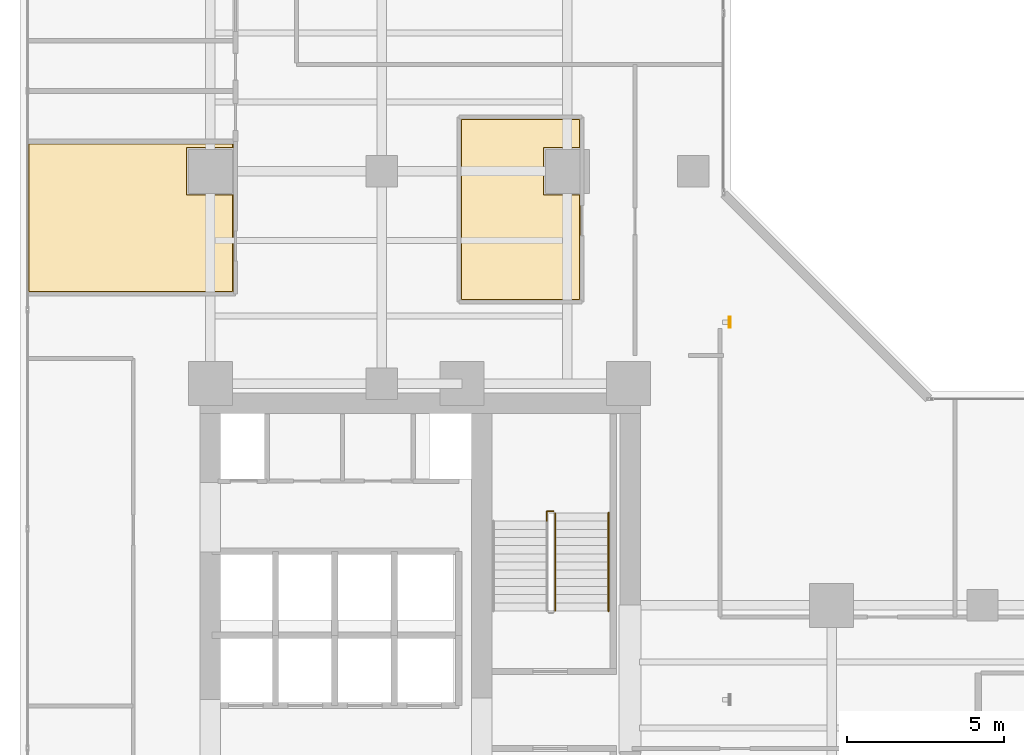
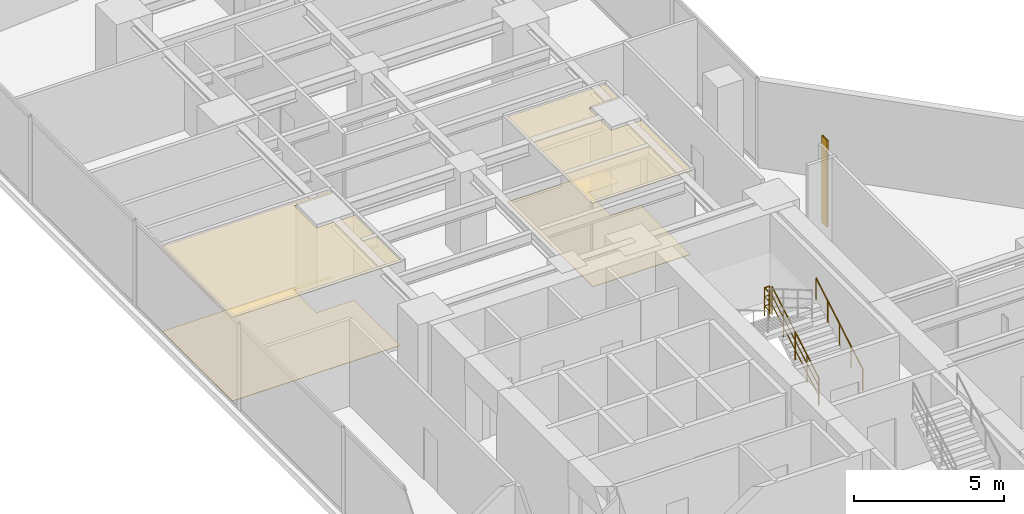
# One storey, part 26 of 28: 4 coverings, 3 railings, 1 shading device.
"""IFC4 building model written with IfcOpenShell, lengths in metres."""

from ifc_helpers import new_model, si_unit, direction, frame, origin, origin_2d, place, context, subcontext, project, spatial, polyline, hollow_rectangle, circle, outline, extrude, material, layer, layer_set, material_profile, profile_set, type_object, element, save


model = new_model("IFC4")

# Units and contexts
model_context = context("Model", 3, precision=1e-05, world=origin(), true_north=direction((0.0, 1.0)))
body_context = subcontext(model_context, "Body", "Model", "MODEL_VIEW")
ifc_project = project(units=[si_unit("LENGTHUNIT", "METRE"), si_unit("AREAUNIT", "SQUARE_METRE"), si_unit("VOLUMEUNIT", "CUBIC_METRE"), si_unit("PLANEANGLEUNIT", "RADIAN"), si_unit("MASSUNIT", "GRAM", prefix="KILO")], contexts=[model_context])

# Site, building, storey
site_placement = place(None, origin())
site = spatial("IfcSite", under=ifc_project, at=site_placement, CompositionType="ELEMENT")
building_placement = place(site_placement, origin())
building = spatial("IfcBuilding", under=site, at=building_placement, Name="Kolvaren Waterfront Exchange", CompositionType="ELEMENT")
storey_placement = place(building_placement, frame((0.0, 0.0, 133.5)))
storey = spatial("IfcBuildingStorey", under=building, at=storey_placement, Name="L34", CompositionType="ELEMENT", Elevation=133.5)

# Coverings
ifc_material_1 = material(Name="Mineral fibre acoustic ceiling tile")
ifc_layer_1 = layer(ifc_material_1, 0.02490234375, Name="Mineral fibre acoustic ceiling tile")
ifc_layer_set_1 = layer_set([ifc_layer_1], Name="Mineral fibre acoustic ceiling tile")
covering_type_1 = type_object("IfcCoveringType", Name="ARC-CEIL-ACOUSTIC-25", PredefinedType="CEILING", material=ifc_layer_set_1)
covering_1_placement = place(storey_placement, frame((0.0, 0.0, 3.425048828125)))
element("IfcCovering", 1, at=covering_1_placement, inside=storey, type_object=covering_type_1, Name="L34 acoustic suspended ceiling 1", PredefinedType="CEILING", context=body_context, shape_type="SweptSolid", body=[
    extrude(outline(polyline([(19.22509765625, 30.4599609375), (18.06005859375, 30.4599609375), (18.06005859375, 31.93994140625), (19.22509765625, 31.93994140625), (19.22509765625, 32.875), (15.39501953125, 32.875), (15.39501953125, 27.094970703125), (19.22509765625, 27.094970703125), (19.22509765625, 30.4599609375)])), origin(), (0.0, 0.0, 1.0), 0.02490234375),
])
covering_2_placement = place(storey_placement, frame((0.0, 0.0, 3.425048828125)))
element("IfcCovering", 2, at=covering_2_placement, inside=storey, type_object=covering_type_1, Name="L34 acoustic suspended ceiling 2", PredefinedType="CEILING", context=body_context, shape_type="SweptSolid", body=[
    extrude(outline(polyline([(8.18505859375, 30.4599609375), (6.7099609375, 30.4599609375), (6.7099609375, 31.93994140625), (8.18505859375, 31.93994140625), (8.18505859375, 32.10498046875), (1.64501953125, 32.10498046875), (1.64501953125, 27.344970703125), (8.18505859375, 27.344970703125), (8.18505859375, 30.4599609375)])), origin(), (0.0, 0.0, 1.0), 0.02490234375),
])

# Shading device
ifc_material_2 = material(Name="Anodised bronze aluminium 6063-T6", Category="aluminium")
ifc_material_profile = material_profile(ifc_material_2, hollow_rectangle(XDim=0.06005859375, YDim=0.35009765625, WallThickness=0.0048828125, at=origin_2d()), Name="BRZ-FIN-350x60x5")
ifc_profile_set = profile_set([ifc_material_profile], Name="Anodised bronze aluminium 6063-T6")
shading_device_type = type_object("IfcShadingDeviceType", Name="ARC-FIN-350", PredefinedType="USERDEFINED", material=ifc_profile_set)
shading_device_placement = place(storey_placement, frame((23.9599609375, 26.39990234375, 0.0), z_axis=(0.0, 0.0, 1.0), x_axis=(1.0, 0.0, 0.0)))
element("IfcShadingDevice", 3, at=shading_device_placement, inside=storey, type_object=shading_device_type, Name="L34 anodised bronze solar shading fin FIN-L34-E2", ObjectType="SOLAR FIN", PredefinedType="USERDEFINED", context=body_context, shape_type="SweptSolid", body=[
    extrude(hollow_rectangle(XDim=0.06005859375, YDim=0.35009765625, WallThickness=0.0048828125, at=origin_2d()), origin(), (0.0, 0.0, 1.0), 3.5400390625),
])

# Coverings
ifc_material_3 = material(Name="Slip-resistant porcelain tile")
ifc_layer_2 = layer(ifc_material_3, 0.014892578125, Name="Slip-resistant porcelain tile")
ifc_layer_set_2 = layer_set([ifc_layer_2], Name="Slip-resistant porcelain tile")
covering_type_2 = type_object("IfcCoveringType", Name="ARC-FLR-PORC-15", PredefinedType="FLOORING", material=ifc_layer_set_2)
covering_3_placement = place(storey_placement, origin())
element("IfcCovering", 4, at=covering_3_placement, inside=storey, type_object=covering_type_2, Name="L34 floor finish 1", PredefinedType="FLOORING", context=body_context, shape_type="SweptSolid", body=[
    extrude(outline(polyline([(15.429931640625, 32.840087890625), (15.429931640625, 27.1298828125), (19.18994140625, 27.1298828125), (19.18994140625, 30.43994140625), (18.0400390625, 30.43994140625), (18.0400390625, 31.9599609375), (19.18994140625, 31.9599609375), (19.18994140625, 32.840087890625), (15.429931640625, 32.840087890625)])), origin(), (0.0, 0.0, 1.0), 0.014892578125),
])
covering_4_placement = place(storey_placement, origin())
element("IfcCovering", 5, at=covering_4_placement, inside=storey, type_object=covering_type_2, Name="L34 floor finish 2", PredefinedType="FLOORING", context=body_context, shape_type="SweptSolid", body=[
    extrude(outline(polyline([(1.679931640625, 32.070068359375), (1.679931640625, 27.3798828125), (8.14990234375, 27.3798828125), (8.14990234375, 30.43994140625), (6.68994140625, 30.43994140625), (6.68994140625, 31.9599609375), (8.14990234375, 31.9599609375), (8.14990234375, 32.070068359375), (1.679931640625, 32.070068359375)])), origin(), (0.0, 0.0, 1.0), 0.014892578125),
])

# Railings
ifc_material_4 = material(Name="Stainless steel 316", Category="steel")
railing_type_1 = type_object("IfcRailingType", Name="ARC-GUARD-STAIR", PredefinedType="GUARDRAIL", material=ifc_material_4)
railing_1_placement = place(storey_placement, frame((18.409912109375, 17.219970703125, 0.152099609375)))
element("IfcRailing", 6, at=railing_1_placement, inside=storey, type_object=railing_type_1, Name="L34 ST2 stair guard 1", PredefinedType="GUARDRAIL", context=body_context, shape_type="SweptSolid", body=[
    extrude(circle(Radius=0.02392578125, at=origin_2d()), frame((0.0, 0.0, 1.1259765625), z_axis=(0.0, 0.86330811405, 0.504677223793), x_axis=(-1.0, 0.0, 0.0)), (0.0, 0.0, 1.0), 3.6142578125),
    extrude(circle(Radius=0.01611328125, at=origin_2d()), frame((0.0, 0.0, 0.390869140625), z_axis=(0.0, 0.86330811405, 0.504677223793), x_axis=(-1.0, 0.0, 0.0)), (0.0, 0.0, 1.0), 3.6142578125),
    extrude(circle(Radius=0.01611328125, at=origin_2d()), frame((0.0, 0.0, 0.7705078125), z_axis=(0.0, 0.86330811405, 0.504677223793), x_axis=(-1.0, 0.0, 0.0)), (0.0, 0.0, 1.0), 3.6142578125),
    extrude(circle(Radius=0.02099609375, at=origin_2d()), origin(), (0.0, 0.0, 1.0), 1.101806640625),
    extrude(circle(Radius=0.02099609375, at=origin_2d()), frame((0.0, 0.780029296875, 0.4560546875)), (0.0, 0.0, 1.0), 1.101806640625),
    extrude(circle(Radius=0.02099609375, at=origin_2d()), frame((0.0, 1.56005859375, 0.912109375)), (0.0, 0.0, 1.0), 1.101806640625),
    extrude(circle(Radius=0.02099609375, at=origin_2d()), frame((0.0, 2.340087890625, 1.367919921875)), (0.0, 0.0, 1.0), 1.101806640625),
    extrude(circle(Radius=0.02099609375, at=origin_2d()), frame((0.0, 3.1201171875, 1.823974609375)), (0.0, 0.0, 1.0), 1.101806640625),
])
railing_2_placement = place(storey_placement, frame((18.360107421875, 20.389892578125, 1.97607421875)))
element("IfcRailing", 7, at=railing_2_placement, inside=storey, type_object=railing_type_1, Name="L34 ST2 stair guard 2", PredefinedType="GUARDRAIL", context=body_context, shape_type="SweptSolid", body=[
    extrude(circle(Radius=0.02392578125, at=origin_2d()), frame((0.0, 0.0, 1.1259765625), z_axis=(-1.0, 0.0, 0.0), x_axis=(0.0, -1.0, 0.0)), (0.0, 0.0, 1.0), 0.210205078125),
    extrude(circle(Radius=0.01611328125, at=origin_2d()), frame((0.0, 0.0, 0.390869140625), z_axis=(-1.0, 0.0, 0.0), x_axis=(0.0, -1.0, 0.0)), (0.0, 0.0, 1.0), 0.210205078125),
    extrude(circle(Radius=0.01611328125, at=origin_2d()), frame((0.0, 0.0, 0.7705078125), z_axis=(-1.0, 0.0, 0.0), x_axis=(0.0, -1.0, 0.0)), (0.0, 0.0, 1.0), 0.210205078125),
    extrude(circle(Radius=0.02392578125, at=origin_2d()), frame((-0.210205078125, 0.0, 1.1259765625), z_axis=(0.0, -1.0, 0.0), x_axis=(1.0, 0.0, 0.0)), (0.0, 0.0, 1.0), 0.309814453125),
    extrude(circle(Radius=0.01611328125, at=origin_2d()), frame((-0.210205078125, 0.0, 0.390869140625), z_axis=(0.0, -1.0, 0.0), x_axis=(1.0, 0.0, 0.0)), (0.0, 0.0, 1.0), 0.309814453125),
    extrude(circle(Radius=0.01611328125, at=origin_2d()), frame((-0.210205078125, 0.0, 0.7705078125), z_axis=(0.0, -1.0, 0.0), x_axis=(1.0, 0.0, 0.0)), (0.0, 0.0, 1.0), 0.309814453125),
    extrude(circle(Radius=0.02099609375, at=origin_2d()), origin(), (0.0, 0.0, 1.0), 1.101806640625),
    extrude(circle(Radius=0.02099609375, at=origin_2d()), frame((-0.210205078125, 0.0, 0.0)), (0.0, 0.0, 1.0), 1.101806640625),
    extrude(circle(Radius=0.02099609375, at=origin_2d()), frame((-0.210205078125, -0.309814453125, 0.0)), (0.0, 0.0, 1.0), 1.101806640625),
])
railing_type_2 = type_object("IfcRailingType", Name="ARC-HANDRAIL-900", PredefinedType="HANDRAIL", material=ifc_material_4)
railing_3_placement = place(storey_placement, frame((20.110107421875, 17.219970703125, 0.152099609375)))
element("IfcRailing", 8, at=railing_3_placement, inside=storey, type_object=railing_type_2, Name="L34 ST2 stair handrail 1", PredefinedType="HANDRAIL", context=body_context, shape_type="SweptSolid", body=[
    extrude(circle(Radius=0.02392578125, at=origin_2d()), frame((0.0, 0.0, 0.8759765625), z_axis=(0.0, 0.86330811405, 0.504677223793), x_axis=(-1.0, 0.0, 0.0)), (0.0, 0.0, 1.0), 3.6142578125),
    extrude(circle(Radius=0.02099609375, at=origin_2d()), origin(), (0.0, 0.0, 1.0), 0.851806640625),
    extrude(circle(Radius=0.02099609375, at=origin_2d()), frame((0.0, 0.780029296875, 0.4560546875)), (0.0, 0.0, 1.0), 0.851806640625),
    extrude(circle(Radius=0.02099609375, at=origin_2d()), frame((0.0, 1.56005859375, 0.912109375)), (0.0, 0.0, 1.0), 0.851806640625),
    extrude(circle(Radius=0.02099609375, at=origin_2d()), frame((0.0, 2.340087890625, 1.367919921875)), (0.0, 0.0, 1.0), 0.851806640625),
    extrude(circle(Radius=0.02099609375, at=origin_2d()), frame((0.0, 3.1201171875, 1.823974609375)), (0.0, 0.0, 1.0), 0.851806640625),
])

save(model, "model.ifc")
